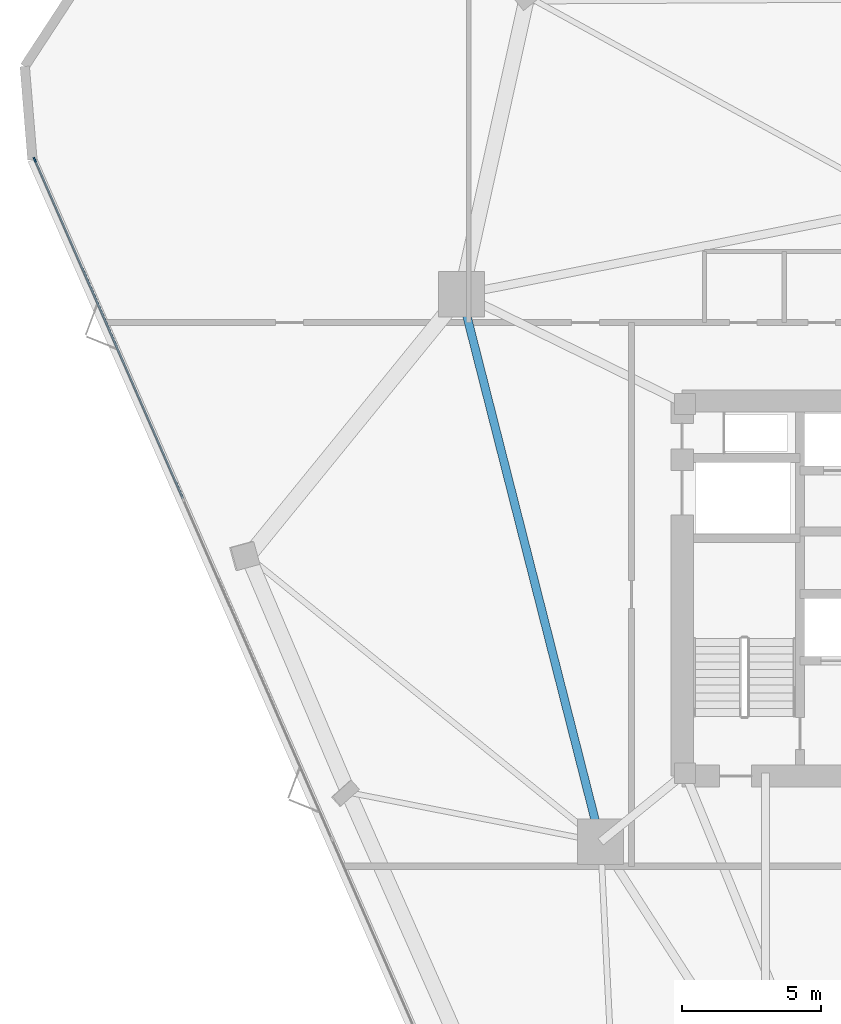
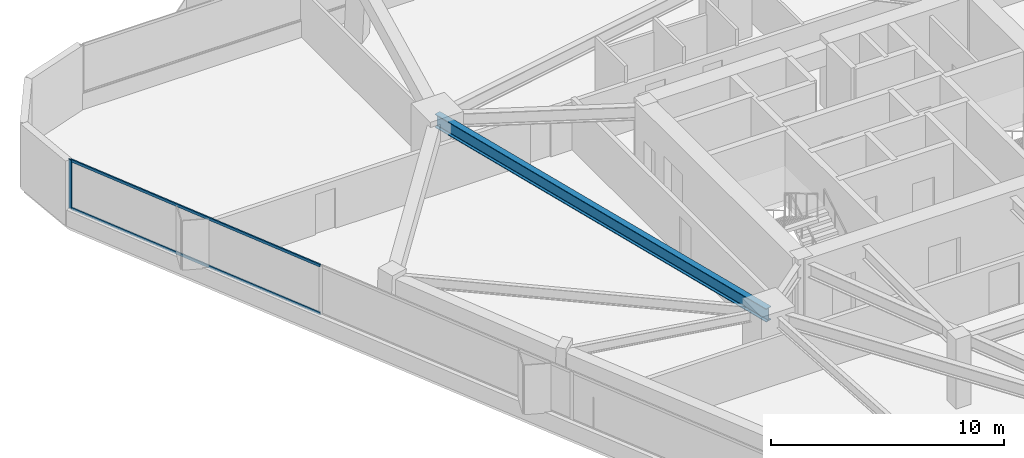
# One storey, part 7 of 19: 3 members, 1 beam, 1 element without a shape of its own.
"""IFC4 building model written with IfcOpenShell, lengths in metres."""

from ifc_helpers import new_model, si_unit, direction, frame, origin, origin_2d, place, context, subcontext, project, spatial, rectangle, i_section, extrude, material, layer, layer_set, material_profile, profile_set, type_object, element, aggregate, save


model = new_model("IFC4")

# Units and contexts
model_context = context("Model", 3, precision=1e-05, world=origin(), true_north=direction((0.0, 1.0)))
body_context = subcontext(model_context, "Body", "Model", "MODEL_VIEW")
ifc_project = project(units=[si_unit("LENGTHUNIT", "METRE"), si_unit("AREAUNIT", "SQUARE_METRE"), si_unit("VOLUMEUNIT", "CUBIC_METRE"), si_unit("PLANEANGLEUNIT", "RADIAN"), si_unit("MASSUNIT", "GRAM", prefix="KILO")], contexts=[model_context])

# Site, building, storey
site_placement = place(None, origin())
site = spatial("IfcSite", under=ifc_project, at=site_placement, CompositionType="ELEMENT")
building_placement = place(site_placement, origin())
building = spatial("IfcBuilding", under=site, at=building_placement, Name="Talyreon Biosciences Tower", CompositionType="ELEMENT")
storey_placement = place(building_placement, frame((0.0, 0.0, 85.949951171875)))
storey = spatial("IfcBuildingStorey", under=building, at=storey_placement, Name="L22", CompositionType="ELEMENT", Elevation=85.949951171875)

# Curtain wall, members
ifc_material_1 = material(Name="Thermally broken aluminium and low-E glazing", Category="aluminium")
ifc_layer = layer(ifc_material_1, 0.18994140625)
ifc_layer_set = layer_set([ifc_layer], Name="Thermally broken aluminium and low-E glazing")
curtain_wall_type = type_object("IfcCurtainWallType", Name="CurtainWall_Zone2Genomics", PredefinedType="NOTDEFINED", material=ifc_layer_set)
curtain_wall_placement = place(storey_placement, origin())
curtain_wall = element("IfcCurtainWall", 1, at=curtain_wall_placement, inside=storey, type_object=curtain_wall_type, Name="L22 Unitised Curtain Wall FCW-L22-00", PredefinedType="NOTDEFINED")
ifc_material_2 = material(Name="Anodised thermally broken aluminium", Category="aluminium")
ifc_material_profile_1 = material_profile(ifc_material_2, rectangle(XDim=0.06494140625, YDim=0.179931640625, at=origin_2d()), Name="ALUM MULLION 65x180")
ifc_profile_set_1 = profile_set([ifc_material_profile_1], Name="Anodised thermally broken aluminium")
member_type_1 = type_object("IfcMemberType", Name="CWMullion_65x180", PredefinedType="MULLION", material=ifc_profile_set_1)
member_1_placement = place(storey_placement, frame((34.537353515625, 83.43896484375, 0.81005859375), z_axis=(0.0, 0.0, 1.0), x_axis=(-0.916213942072, -0.400689421314, 0.0)))
member_1 = element("IfcMember", 2, at=member_1_placement, type_object=member_type_1, Name="CW3 mullion 6", PredefinedType="MULLION", context=body_context, shape_type="SweptSolid", body=[
    extrude(rectangle(XDim=0.06494140625, YDim=0.179931640625, at=origin_2d()), origin(), (0.0, 0.0, 1.0), 2.56494140625),
])
ifc_material_profile_2 = material_profile(ifc_material_2, rectangle(XDim=0.06494140625, YDim=0.139892578125, at=origin_2d()), Name="ALUM TRANSOM 65x140")
ifc_profile_set_2 = profile_set([ifc_material_profile_2], Name="Anodised thermally broken aluminium")
member_type_2 = type_object("IfcMemberType", Name="CWTransom_65x140", PredefinedType="USERDEFINED", material=ifc_profile_set_2)
member_2_placement = place(storey_placement, frame((39.868408203125, 71.24951171875, 0.842529296875), z_axis=(-0.40069337817, 0.916212211603, 0.0), x_axis=(-0.916212211603, -0.40069337817, 0.0)))
member_2 = element("IfcMember", 3, at=member_2_placement, type_object=member_type_2, Name="CW3 transom 5.1", ObjectType="TRANSOM", PredefinedType="USERDEFINED", context=body_context, shape_type="SweptSolid", body=[
    extrude(rectangle(XDim=0.06494140625, YDim=0.139892578125, at=origin_2d()), origin(), (0.0, 0.0, 1.0), 13.271728515625),
])
member_3_placement = place(storey_placement, frame((39.868408203125, 71.24951171875, 3.342529296875), z_axis=(-0.40069337817, 0.916212211603, 0.0), x_axis=(-0.916212211603, -0.40069337817, 0.0)))
member_3 = element("IfcMember", 4, at=member_3_placement, type_object=member_type_2, Name="CW3 transom 5.2", ObjectType="TRANSOM", PredefinedType="USERDEFINED", context=body_context, shape_type="SweptSolid", body=[
    extrude(rectangle(XDim=0.06494140625, YDim=0.139892578125, at=origin_2d()), origin(), (0.0, 0.0, 1.0), 13.271728515625),
])
aggregate(curtain_wall, [member_1, member_2, member_3])

# Beam
ifc_material_3 = material(Name="Steel SM355", Category="steel")
ifc_material_profile_3 = material_profile(ifc_material_3, i_section(OverallWidth=0.300048828125, OverallDepth=0.699951171875, WebThickness=0.01708984375, FlangeThickness=0.031982421875, FilletRadius=0.027099609375, at=origin_2d()), Name="HE700B")
ifc_profile_set_3 = profile_set([ifc_material_profile_3], Name="Steel SM355")
beam_type = type_object("IfcBeamType", Name="SteelGirder_HE700B", PredefinedType="BEAM", material=ifc_profile_set_3)
beam_placement = place(storey_placement, frame((49.897705078125, 78.5986328125, 3.025146484375), z_axis=(0.246537082299, -0.969133358755, 0.0), x_axis=(0.969133358755, 0.246537082299, 0.0)))
element("IfcBeam", 5, at=beam_placement, inside=storey, type_object=beam_type, Name="L22 Mega-Ring Girder 5", PredefinedType="BEAM", context=body_context, shape_type="SweptSolid", body=[
    extrude(i_section(OverallWidth=0.300048828125, OverallDepth=0.699951171875, WebThickness=0.01708984375, FlangeThickness=0.031982421875, FilletRadius=0.027099609375, at=origin_2d()), origin(), (0.0, 0.0, 1.0), 20.34619140625),
])

save(model, "model.ifc")
